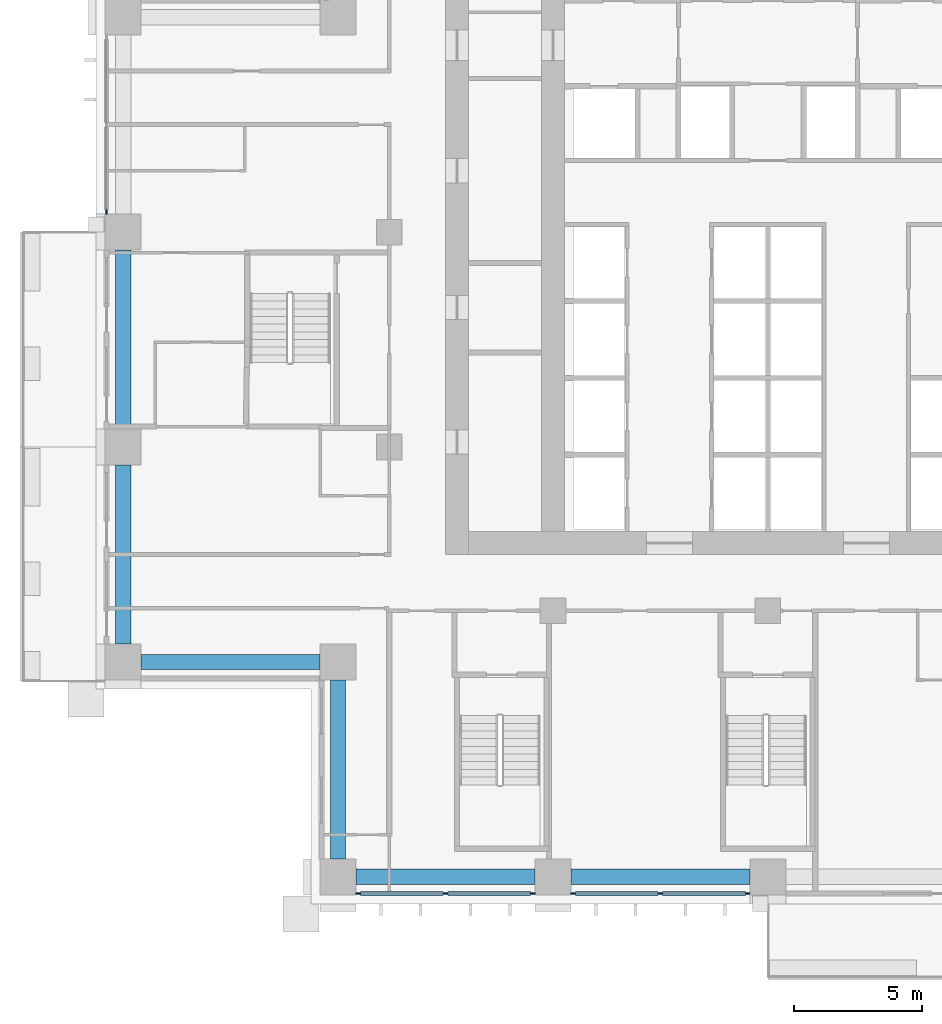
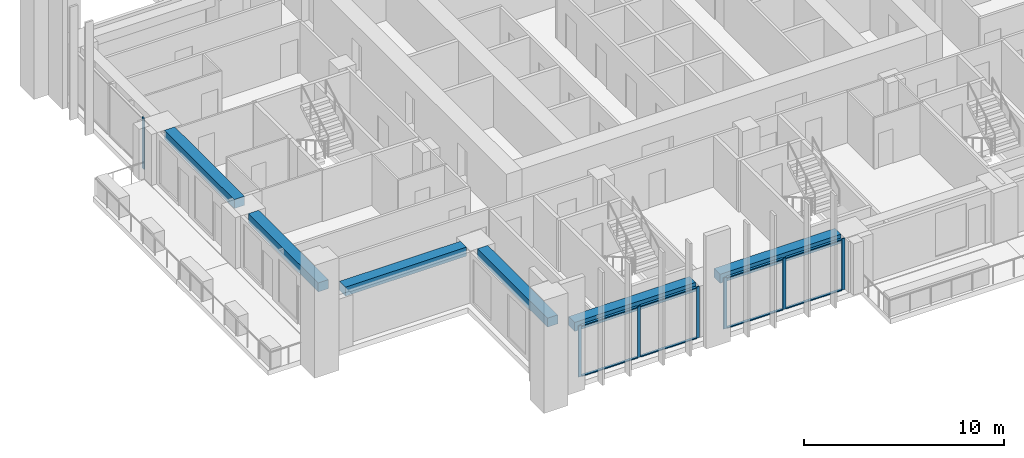
# One storey, part 2 of 19: 15 members, 6 beams, 3 elements without a shape of their own.
"""IFC4 building model written with IfcOpenShell, lengths in metres."""

from ifc_helpers import new_model, si_unit, direction, frame, origin, origin_2d, place, context, subcontext, project, spatial, rectangle, extrude, material, material_profile, profile_set, type_object, element, aggregate, save


model = new_model("IFC4")

# Units and contexts
model_context = context("Model", 3, precision=1e-05, world=origin(), true_north=direction((0.0, 1.0)))
body_context = subcontext(model_context, "Body", "Model", "MODEL_VIEW")
ifc_project = project(units=[si_unit("LENGTHUNIT", "METRE"), si_unit("AREAUNIT", "SQUARE_METRE"), si_unit("VOLUMEUNIT", "CUBIC_METRE"), si_unit("PLANEANGLEUNIT", "RADIAN"), si_unit("MASSUNIT", "GRAM", prefix="KILO")], contexts=[model_context])

# Site, building, storey
site_placement = place(None, origin())
site = spatial("IfcSite", under=ifc_project, at=site_placement, CompositionType="ELEMENT")
building_placement = place(site_placement, origin())
building = spatial("IfcBuilding", under=site, at=building_placement, Name="Vermilion Ogive Tower", CompositionType="ELEMENT")
storey_placement = place(building_placement, frame((0.0, 0.0, 48.300048828125)))
storey = spatial("IfcBuildingStorey", under=building, at=storey_placement, Name="L10", CompositionType="ELEMENT", Elevation=48.300048828125)

# Curtain wall, members
ifc_material_1 = material(Name="Low-iron laminated glazing in aluminium frame", Category="aluminium")
curtain_wall_type = type_object("IfcCurtainWallType", Name="Curtain wall CW7", PredefinedType="NOTDEFINED", material=ifc_material_1)
curtain_wall_1_placement = place(storey_placement, origin())
curtain_wall_1 = element("IfcCurtainWall", 1, at=curtain_wall_1_placement, inside=storey, type_object=curtain_wall_type, Name="Glazed skin S1", PredefinedType="NOTDEFINED")
ifc_material_2 = material(Name="Aluminium mullion", Category="aluminium")
ifc_material_profile_1 = material_profile(ifc_material_2, rectangle(XDim=0.06005859375, YDim=0.179931640625, at=origin_2d()), Name="AL 60x180")
ifc_profile_set_1 = profile_set([ifc_material_profile_1], Name="Aluminium mullion")
member_type_1 = type_object("IfcMemberType", Name="CW7 mullion 60x180", PredefinedType="MULLION", material=ifc_profile_set_1)
member_1_placement = place(storey_placement, frame((-16.010009765625, -21.64990234375, 0.0), z_axis=(0.0, 0.0, 1.0), x_axis=(0.0, 1.0, 0.0)))
member_1 = element("IfcMember", 2, at=member_1_placement, type_object=member_type_1, Name="CW7-S1 mullion 1", PredefinedType="MULLION", context=body_context, shape_type="SweptSolid", body=[
    extrude(rectangle(XDim=0.06005859375, YDim=0.179931640625, at=origin_2d()), origin(), (0.0, 0.0, 1.0), 3.1298828125),
])
member_2_placement = place(storey_placement, frame((-12.60009765625, -21.64990234375, 0.0), z_axis=(0.0, 0.0, 1.0), x_axis=(0.0, 1.0, 0.0)))
member_2 = element("IfcMember", 3, at=member_2_placement, type_object=member_type_1, Name="CW7-S1 mullion 2", PredefinedType="MULLION", context=body_context, shape_type="SweptSolid", body=[
    extrude(rectangle(XDim=0.06005859375, YDim=0.179931640625, at=origin_2d()), origin(), (0.0, 0.0, 1.0), 3.1298828125),
])
member_3_placement = place(storey_placement, frame((-9.18994140625, -21.64990234375, 0.0), z_axis=(0.0, 0.0, 1.0), x_axis=(0.0, 1.0, 0.0)))
member_3 = element("IfcMember", 4, at=member_3_placement, type_object=member_type_1, Name="CW7-S1 mullion 3", PredefinedType="MULLION", context=body_context, shape_type="SweptSolid", body=[
    extrude(rectangle(XDim=0.06005859375, YDim=0.179931640625, at=origin_2d()), origin(), (0.0, 0.0, 1.0), 3.1298828125),
])

curtain_wall_2_placement = place(storey_placement, origin())
curtain_wall_2 = element("IfcCurtainWall", 5, at=curtain_wall_2_placement, inside=storey, type_object=curtain_wall_type, Name="Glazed skin S2", PredefinedType="NOTDEFINED")
member_4_placement = place(storey_placement, frame((-7.610107421875, -21.64990234375, 0.0), z_axis=(0.0, 0.0, 1.0), x_axis=(0.0, 1.0, 0.0)))
member_4 = element("IfcMember", 6, at=member_4_placement, type_object=member_type_1, Name="CW7-S2 mullion 1", PredefinedType="MULLION", context=body_context, shape_type="SweptSolid", body=[
    extrude(rectangle(XDim=0.06005859375, YDim=0.179931640625, at=origin_2d()), origin(), (0.0, 0.0, 1.0), 3.1298828125),
])
member_5_placement = place(storey_placement, frame((-4.199951171875, -21.64990234375, 0.0), z_axis=(0.0, 0.0, 1.0), x_axis=(0.0, 1.0, 0.0)))
member_5 = element("IfcMember", 7, at=member_5_placement, type_object=member_type_1, Name="CW7-S2 mullion 2", PredefinedType="MULLION", context=body_context, shape_type="SweptSolid", body=[
    extrude(rectangle(XDim=0.06005859375, YDim=0.179931640625, at=origin_2d()), origin(), (0.0, 0.0, 1.0), 3.1298828125),
])
member_6_placement = place(storey_placement, frame((-0.7900390625, -21.64990234375, 0.0), z_axis=(0.0, 0.0, 1.0), x_axis=(0.0, 1.0, 0.0)))
member_6 = element("IfcMember", 8, at=member_6_placement, type_object=member_type_1, Name="CW7-S2 mullion 3", PredefinedType="MULLION", context=body_context, shape_type="SweptSolid", body=[
    extrude(rectangle(XDim=0.06005859375, YDim=0.179931640625, at=origin_2d()), origin(), (0.0, 0.0, 1.0), 3.1298828125),
])

# Curtain wall, member
curtain_wall_3_placement = place(storey_placement, origin())
curtain_wall_3 = element("IfcCurtainWall", 9, at=curtain_wall_3_placement, inside=storey, type_object=curtain_wall_type, Name="Glazed skin W1", PredefinedType="NOTDEFINED")
member_7_placement = place(storey_placement, frame((-25.85009765625, 4.989990234375, 0.0), z_axis=(0.0, 0.0, 1.0), x_axis=(1.0, 0.0, 0.0)))
member_7 = element("IfcMember", 10, at=member_7_placement, type_object=member_type_1, Name="CW7-W1 mullion 3", PredefinedType="MULLION", context=body_context, shape_type="SweptSolid", body=[
    extrude(rectangle(XDim=0.06005859375, YDim=0.179931640625, at=origin_2d()), origin(), (0.0, 0.0, 1.0), 3.1298828125),
])
aggregate(curtain_wall_3, [member_7])

# Member
ifc_material_3 = material(Name="Aluminium transom", Category="aluminium")
ifc_material_profile_2 = material_profile(ifc_material_3, rectangle(XDim=0.139892578125, YDim=0.06005859375, at=origin_2d()), Name="AL 60x140")
ifc_profile_set_2 = profile_set([ifc_material_profile_2], Name="Aluminium transom")
member_type_2 = type_object("IfcMemberType", Name="CW7 transom 60x140", PredefinedType="USERDEFINED", material=ifc_profile_set_2)
member_8_placement = place(storey_placement, frame((-15.919921875, -21.64990234375, 0.030029296875), z_axis=(1.0, 0.0, 0.0), x_axis=(0.0, 1.0, 0.0)))
member_8 = element("IfcMember", 11, at=member_8_placement, type_object=member_type_2, Name="CW7-S1 transom 1.1", ObjectType="TRANSOM", PredefinedType="USERDEFINED", context=body_context, shape_type="SweptSolid", body=[
    extrude(rectangle(XDim=0.139892578125, YDim=0.06005859375, at=origin_2d()), origin(), (0.0, 0.0, 1.0), 3.22998046875),
])

member_9_placement = place(storey_placement, frame((-15.919921875, -21.64990234375, 3.099853515625), z_axis=(1.0, 0.0, 0.0), x_axis=(0.0, 1.0, 0.0)))
member_9 = element("IfcMember", 12, at=member_9_placement, type_object=member_type_2, Name="CW7-S1 transom 1.2", ObjectType="TRANSOM", PredefinedType="USERDEFINED", context=body_context, shape_type="SweptSolid", body=[
    extrude(rectangle(XDim=0.139892578125, YDim=0.06005859375, at=origin_2d()), origin(), (0.0, 0.0, 1.0), 3.22998046875),
])

member_10_placement = place(storey_placement, frame((-12.510009765625, -21.64990234375, 0.030029296875), z_axis=(1.0, 0.0, 0.0), x_axis=(0.0, 1.0, 0.0)))
member_10 = element("IfcMember", 13, at=member_10_placement, type_object=member_type_2, Name="CW7-S1 transom 2.1", ObjectType="TRANSOM", PredefinedType="USERDEFINED", context=body_context, shape_type="SweptSolid", body=[
    extrude(rectangle(XDim=0.139892578125, YDim=0.06005859375, at=origin_2d()), origin(), (0.0, 0.0, 1.0), 3.22998046875),
])

member_11_placement = place(storey_placement, frame((-12.510009765625, -21.64990234375, 3.099853515625), z_axis=(1.0, 0.0, 0.0), x_axis=(0.0, 1.0, 0.0)))
member_11 = element("IfcMember", 14, at=member_11_placement, type_object=member_type_2, Name="CW7-S1 transom 2.2", ObjectType="TRANSOM", PredefinedType="USERDEFINED", context=body_context, shape_type="SweptSolid", body=[
    extrude(rectangle(XDim=0.139892578125, YDim=0.06005859375, at=origin_2d()), origin(), (0.0, 0.0, 1.0), 3.22998046875),
])

aggregate(curtain_wall_1, [member_1, member_2, member_3, member_8, member_9, member_10, member_11])

member_12_placement = place(storey_placement, frame((-7.52001953125, -21.64990234375, 0.030029296875), z_axis=(1.0, 0.0, 0.0), x_axis=(0.0, 1.0, 0.0)))
member_12 = element("IfcMember", 15, at=member_12_placement, type_object=member_type_2, Name="CW7-S2 transom 1.1", ObjectType="TRANSOM", PredefinedType="USERDEFINED", context=body_context, shape_type="SweptSolid", body=[
    extrude(rectangle(XDim=0.139892578125, YDim=0.06005859375, at=origin_2d()), origin(), (0.0, 0.0, 1.0), 3.22998046875),
])

member_13_placement = place(storey_placement, frame((-7.52001953125, -21.64990234375, 3.099853515625), z_axis=(1.0, 0.0, 0.0), x_axis=(0.0, 1.0, 0.0)))
member_13 = element("IfcMember", 16, at=member_13_placement, type_object=member_type_2, Name="CW7-S2 transom 1.2", ObjectType="TRANSOM", PredefinedType="USERDEFINED", context=body_context, shape_type="SweptSolid", body=[
    extrude(rectangle(XDim=0.139892578125, YDim=0.06005859375, at=origin_2d()), origin(), (0.0, 0.0, 1.0), 3.22998046875),
])

member_14_placement = place(storey_placement, frame((-4.110107421875, -21.64990234375, 0.030029296875), z_axis=(1.0, 0.0, 0.0), x_axis=(0.0, 1.0, 0.0)))
member_14 = element("IfcMember", 17, at=member_14_placement, type_object=member_type_2, Name="CW7-S2 transom 2.1", ObjectType="TRANSOM", PredefinedType="USERDEFINED", context=body_context, shape_type="SweptSolid", body=[
    extrude(rectangle(XDim=0.139892578125, YDim=0.06005859375, at=origin_2d()), origin(), (0.0, 0.0, 1.0), 3.230224609375),
])

member_15_placement = place(storey_placement, frame((-4.110107421875, -21.64990234375, 3.099853515625), z_axis=(1.0, 0.0, 0.0), x_axis=(0.0, 1.0, 0.0)))
member_15 = element("IfcMember", 18, at=member_15_placement, type_object=member_type_2, Name="CW7-S2 transom 2.2", ObjectType="TRANSOM", PredefinedType="USERDEFINED", context=body_context, shape_type="SweptSolid", body=[
    extrude(rectangle(XDim=0.139892578125, YDim=0.06005859375, at=origin_2d()), origin(), (0.0, 0.0, 1.0), 3.230224609375),
])

aggregate(curtain_wall_2, [member_4, member_5, member_6, member_12, member_13, member_14, member_15])

# Beams
ifc_material_4 = material(Name="Concrete B45", Category="concrete")
ifc_material_profile_3 = material_profile(ifc_material_4, rectangle(XDim=0.60009765625, YDim=0.550048828125, at=origin_2d()), Name="600 x 550")
ifc_profile_set_3 = profile_set([ifc_material_profile_3], Name="Concrete B45")
beam_type = type_object("IfcBeamType", Name="Edge beam 600 x 550 B45", PredefinedType="BEAM", material=ifc_profile_set_3)
for number, where, z_axis, x_axis, name in (
    (19, (-16.10009765625, -21.0, 2.85498046875), (1.0, 0.0, 0.0), (0.0, 1.0, 0.0), "L10-EB-1"),
    (20, (-7.699951171875, -21.0, 2.85498046875), (1.0, 0.0, 0.0), (0.0, 1.0, 0.0), "L10-EB-2"),
    (21, (-25.199951171875, 3.5, 2.85498046875), (0.0, -1.0, 0.0), (1.0, 0.0, 0.0), "L10-EB-15"),
    (22, (-25.199951171875, -4.89990234375, 2.85498046875), (0.0, -1.0, 0.0), (1.0, 0.0, 0.0), "L10-EB-16"),
    (23, (-24.5, -12.60009765625, 2.85498046875), (1.0, 0.0, 0.0), (0.0, 1.0, 0.0), "L10-EB-17"),
    (24, (-16.800048828125, -13.300048828125, 2.85498046875), (0.0, -1.0, 0.0), (1.0, 0.0, 0.0), "L10-EB-18"),
):
    element("IfcBeam", number, at=place(storey_placement, frame(where, z_axis=z_axis, x_axis=x_axis)), inside=storey, type_object=beam_type, Name=name, PredefinedType="BEAM", context=body_context, shape_type="SweptSolid", body=[
        extrude(rectangle(XDim=0.60009765625, YDim=0.550048828125, at=origin_2d()), origin(), (0.0, 0.0, 1.0), 7.0),
    ])

save(model, "model.ifc")
